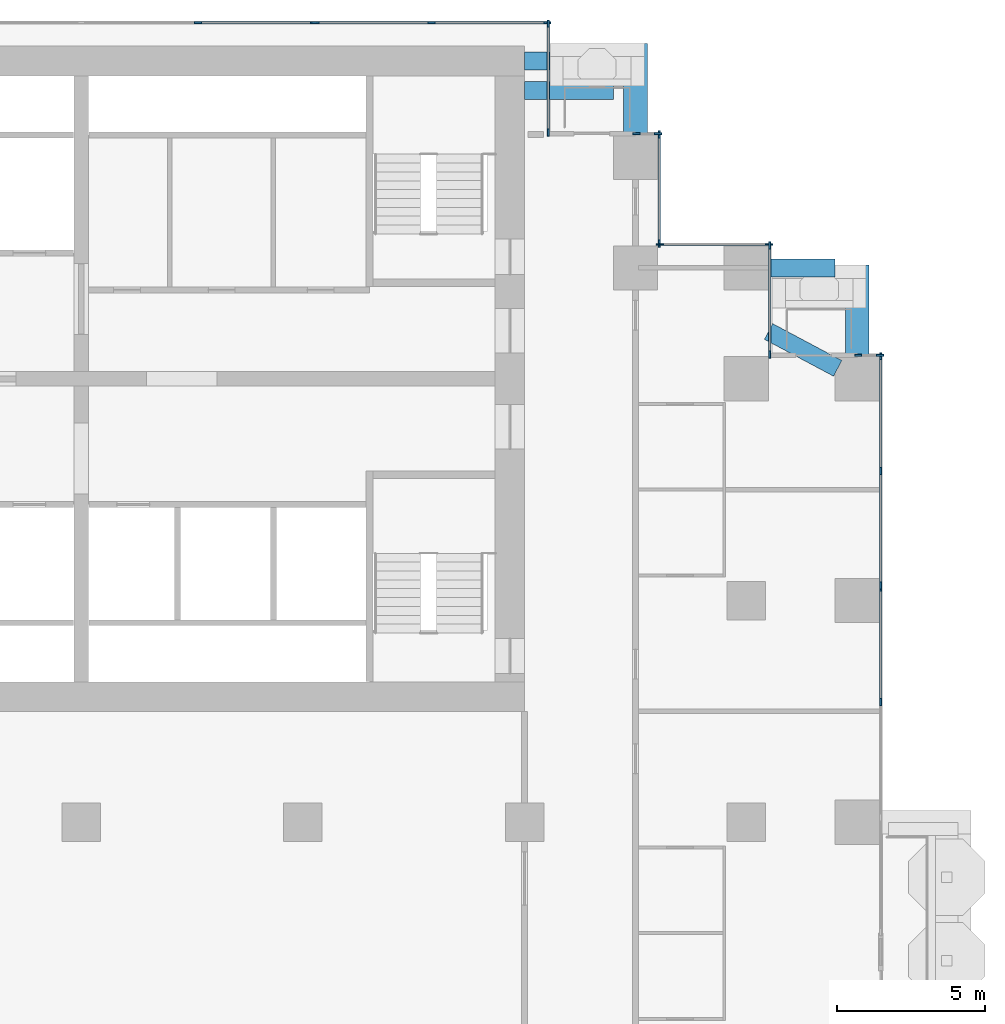
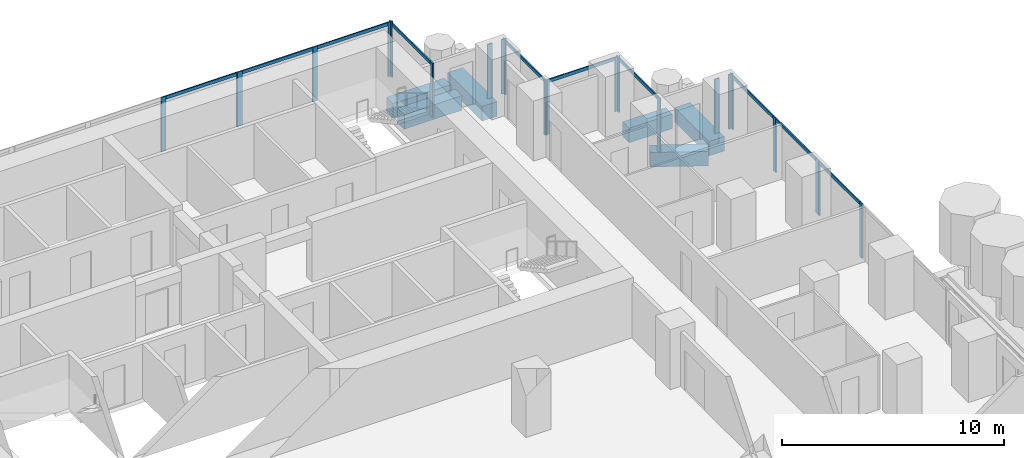
# One storey, part 6 of 19: 32 members, 6 beams, 10 elements without a shape of their own.
"""IFC4 building model written with IfcOpenShell, lengths in metres."""

from ifc_helpers import new_model, si_unit, direction, frame, origin, origin_2d, place, context, subcontext, project, spatial, rectangle, extrude, material, material_profile, profile_set, type_object, element, aggregate, save


model = new_model("IFC4")

# Units and contexts
model_context = context("Model", 3, precision=1e-05, world=origin(), true_north=direction((0.0, 1.0)))
body_context = subcontext(model_context, "Body", "Model", "MODEL_VIEW")
ifc_project = project(units=[si_unit("LENGTHUNIT", "METRE"), si_unit("AREAUNIT", "SQUARE_METRE"), si_unit("VOLUMEUNIT", "CUBIC_METRE"), si_unit("PLANEANGLEUNIT", "RADIAN"), si_unit("MASSUNIT", "GRAM", prefix="KILO")], contexts=[model_context])

# Site, building, storey
site_placement = place(None, origin())
site = spatial("IfcSite", under=ifc_project, at=site_placement, CompositionType="ELEMENT")
building_placement = place(site_placement, origin())
building = spatial("IfcBuilding", under=site, at=building_placement, Name="Pilkhan Gate Tower", CompositionType="ELEMENT")
storey_placement = place(building_placement, frame((0.0, 0.0, 89.0)))
storey = spatial("IfcBuildingStorey", under=building, at=storey_placement, Name="L21", CompositionType="ELEMENT", Elevation=89.0)

# Beams
ifc_material_1 = material(Name="Concrete C50/60", Category="concrete")
ifc_material_profile_1 = material_profile(ifc_material_1, rectangle(XDim=0.60009765625, YDim=0.800048828125, at=origin_2d()), Name="RC 600x800")
ifc_profile_set_1 = profile_set([ifc_material_profile_1], Name="Concrete C50/60")
beam_type_1 = type_object("IfcBeamType", Name="Cantilever beam CB1 RC 600x800 C50/60", PredefinedType="BEAM", material=ifc_profile_set_1)
for number, where, z_axis, x_axis, name in (
    (1, (90.0, 93.25, -0.699951171875), (1.0, 0.0, 0.0), (0.0, 1.0, 0.0), "Balcony beam NE.2 L21"),
    (2, (90.0, 92.25, -0.699951171875), (1.0, 0.0, 0.0), (0.0, 1.0, 0.0), "Balcony beam NE.3 L21"),
):
    element("IfcBeam", number, at=place(storey_placement, frame(where, z_axis=z_axis, x_axis=x_axis)), inside=storey, type_object=beam_type_1, Name=name, PredefinedType="BEAM", context=body_context, shape_type="SweptSolid", body=[
        extrude(rectangle(XDim=0.60009765625, YDim=0.800048828125, at=origin_2d()), origin(), (0.0, 0.0, 1.0), 3.0),
    ])
beam_1_placement = place(storey_placement, frame((98.25, 86.25, -0.699951171875), z_axis=(1.0, 0.0, 0.0), x_axis=(0.0, 1.0, 0.0)))
element("IfcBeam", 3, at=beam_1_placement, inside=storey, type_object=beam_type_1, Name="Balcony beam NE2.2 L21", PredefinedType="BEAM", context=body_context, shape_type="SweptSolid", body=[
    extrude(rectangle(XDim=0.60009765625, YDim=0.800048828125, at=origin_2d()), origin(), (0.0, 0.0, 1.0), 2.25),
])
beam_2_placement = place(storey_placement, frame((100.588134765625, 82.85302734375, -0.699951171875), z_axis=(-0.882342739565, 0.470607362817, 0.0), x_axis=(-0.470607362817, -0.882342739565, 0.0)))
element("IfcBeam", 4, at=beam_2_placement, inside=storey, type_object=beam_type_1, Name="Balcony beam NE2.3 L21", PredefinedType="BEAM", context=body_context, shape_type="SweptSolid", body=[
    extrude(rectangle(XDim=0.60009765625, YDim=0.800048828125, at=origin_2d()), origin(), (0.0, 0.0, 1.0), 2.64990234375),
])
ifc_material_profile_2 = material_profile(ifc_material_1, rectangle(XDim=0.800048828125, YDim=0.800048828125, at=origin_2d()), Name="RC 800x800")
ifc_profile_set_2 = profile_set([ifc_material_profile_2], Name="Concrete C50/60")
beam_type_2 = type_object("IfcBeamType", Name="Cantilever beam CB2 RC 800x800 C50/60", PredefinedType="BEAM", material=ifc_profile_set_2)
for number, where, z_axis, x_axis, name in (
    (5, (93.75, 90.75, -0.699951171875), (0.0, 1.0, 0.0), (-1.0, 0.0, 0.0), "Balcony beam NE.1 L21"),
    (6, (101.25, 83.25, -0.699951171875), (0.0, 1.0, 0.0), (-1.0, 0.0, 0.0), "Balcony beam NE2.1 L21"),
):
    element("IfcBeam", number, at=place(storey_placement, frame(where, z_axis=z_axis, x_axis=x_axis)), inside=storey, type_object=beam_type_2, Name=name, PredefinedType="BEAM", context=body_context, shape_type="SweptSolid", body=[
        extrude(rectangle(XDim=0.800048828125, YDim=0.800048828125, at=origin_2d()), origin(), (0.0, 0.0, 1.0), 3.10009765625),
    ])

# Curtain wall, members
ifc_material_2 = material(Name="Pale anodised aluminium, clear low-iron double glazing", Category="aluminium")
curtain_wall_type = type_object("IfcCurtainWallType", Name="Hotel unitised curtain wall CW-H", PredefinedType="USERDEFINED", material=ifc_material_2)
curtain_wall_1_placement = place(storey_placement, origin())
curtain_wall_1 = element("IfcCurtainWall", 7, at=curtain_wall_1_placement, inside=storey, type_object=curtain_wall_type, Name="Hotel unitised curtain wall CW-H L21 E", ObjectType="UNITISED CURTAIN WALL", PredefinedType="USERDEFINED")
ifc_material_3 = material(Name="Pale anodised aluminium", Category="aluminium")
ifc_material_profile_3 = material_profile(ifc_material_3, rectangle(XDim=0.06494140625, YDim=0.25, at=origin_2d()), Name="Mullion 250x65")
ifc_profile_set_3 = profile_set([ifc_material_profile_3], Name="Pale anodised aluminium")
member_type_1 = type_object("IfcMemberType", Name="Mullion CW-H 250x65", PredefinedType="MULLION", material=ifc_profile_set_3)
member_1_placement = place(storey_placement, frame((102.044921875, 71.568115234375, 0.0), z_axis=(0.0, 0.0, 1.0), x_axis=(-1.0, 0.0, 0.0)))
member_1 = element("IfcMember", 8, at=member_1_placement, type_object=member_type_1, Name="CW-H mullion 3", PredefinedType="MULLION", context=body_context, shape_type="SweptSolid", body=[
    extrude(rectangle(XDim=0.06494140625, YDim=0.25, at=origin_2d()), origin(), (0.0, 0.0, 1.0), 3.0),
])
member_2_placement = place(storey_placement, frame((102.044921875, 75.444580078125, 0.0), z_axis=(0.0, 0.0, 1.0), x_axis=(-1.0, 0.0, 0.0)))
member_2 = element("IfcMember", 9, at=member_2_placement, type_object=member_type_1, Name="CW-H mullion 4", PredefinedType="MULLION", context=body_context, shape_type="SweptSolid", body=[
    extrude(rectangle(XDim=0.06494140625, YDim=0.25, at=origin_2d()), origin(), (0.0, 0.0, 1.0), 3.0),
])

curtain_wall_2_placement = place(storey_placement, origin())
curtain_wall_2 = element("IfcCurtainWall", 10, at=curtain_wall_2_placement, inside=storey, type_object=curtain_wall_type, Name="Hotel unitised curtain wall CW-H L21 E", ObjectType="UNITISED CURTAIN WALL", PredefinedType="USERDEFINED")
member_3_placement = place(storey_placement, frame((102.044921875, 75.509521484375, 0.0), z_axis=(0.0, 0.0, 1.0), x_axis=(-1.0, 0.0, 0.0)))
member_3 = element("IfcMember", 11, at=member_3_placement, type_object=member_type_1, Name="CW-H mullion 1", PredefinedType="MULLION", context=body_context, shape_type="SweptSolid", body=[
    extrude(rectangle(XDim=0.06494140625, YDim=0.25, at=origin_2d()), origin(), (0.0, 0.0, 1.0), 3.0),
])
member_4_placement = place(storey_placement, frame((102.044921875, 79.385986328125, 0.0), z_axis=(0.0, 0.0, 1.0), x_axis=(-1.0, 0.0, 0.0)))
member_4 = element("IfcMember", 12, at=member_4_placement, type_object=member_type_1, Name="CW-H mullion 2", PredefinedType="MULLION", context=body_context, shape_type="SweptSolid", body=[
    extrude(rectangle(XDim=0.06494140625, YDim=0.25, at=origin_2d()), origin(), (0.0, 0.0, 1.0), 3.0),
])
member_5_placement = place(storey_placement, frame((102.044921875, 83.262451171875, 0.0), z_axis=(0.0, 0.0, 1.0), x_axis=(-1.0, 0.0, 0.0)))
member_5 = element("IfcMember", 13, at=member_5_placement, type_object=member_type_1, Name="CW-H mullion 3", PredefinedType="MULLION", context=body_context, shape_type="SweptSolid", body=[
    extrude(rectangle(XDim=0.06494140625, YDim=0.25, at=origin_2d()), origin(), (0.0, 0.0, 1.0), 3.0),
])

curtain_wall_3_placement = place(storey_placement, origin())
curtain_wall_3 = element("IfcCurtainWall", 14, at=curtain_wall_3_placement, inside=storey, type_object=curtain_wall_type, Name="Hotel unitised curtain wall CW-H L21 N", ObjectType="UNITISED CURTAIN WALL", PredefinedType="USERDEFINED")
member_6_placement = place(storey_placement, frame((101.282470703125, 83.294921875, 0.0), z_axis=(0.0, 0.0, 1.0), x_axis=(0.0, 1.0, 0.0)))
member_6 = element("IfcMember", 15, at=member_6_placement, type_object=member_type_1, Name="CW-H mullion 1", PredefinedType="MULLION", context=body_context, shape_type="SweptSolid", body=[
    extrude(rectangle(XDim=0.06494140625, YDim=0.25, at=origin_2d()), origin(), (0.0, 0.0, 1.0), 3.0),
])
member_7_placement = place(storey_placement, frame((102.012451171875, 83.294921875, 0.0), z_axis=(0.0, 0.0, 1.0), x_axis=(0.0, 1.0, 0.0)))
member_7 = element("IfcMember", 16, at=member_7_placement, type_object=member_type_1, Name="CW-H mullion 2", PredefinedType="MULLION", context=body_context, shape_type="SweptSolid", body=[
    extrude(rectangle(XDim=0.06494140625, YDim=0.25, at=origin_2d()), origin(), (0.0, 0.0, 1.0), 3.0),
])
aggregate(curtain_wall_3, [member_6, member_7])

curtain_wall_4_placement = place(storey_placement, origin())
curtain_wall_4 = element("IfcCurtainWall", 17, at=curtain_wall_4_placement, inside=storey, type_object=curtain_wall_type, Name="Hotel unitised curtain wall CW-H L21 E", ObjectType="UNITISED CURTAIN WALL", PredefinedType="USERDEFINED")
member_8_placement = place(storey_placement, frame((98.294921875, 83.327392578125, 0.0), z_axis=(0.0, 0.0, 1.0), x_axis=(-1.0, 0.0, 0.0)))
member_8 = element("IfcMember", 18, at=member_8_placement, type_object=member_type_1, Name="CW-H mullion 1", PredefinedType="MULLION", context=body_context, shape_type="SweptSolid", body=[
    extrude(rectangle(XDim=0.06494140625, YDim=0.25, at=origin_2d()), origin(), (0.0, 0.0, 1.0), 3.0),
])
member_9_placement = place(storey_placement, frame((98.294921875, 87.012451171875, 0.0), z_axis=(0.0, 0.0, 1.0), x_axis=(-1.0, 0.0, 0.0)))
member_9 = element("IfcMember", 19, at=member_9_placement, type_object=member_type_1, Name="CW-H mullion 2", PredefinedType="MULLION", context=body_context, shape_type="SweptSolid", body=[
    extrude(rectangle(XDim=0.06494140625, YDim=0.25, at=origin_2d()), origin(), (0.0, 0.0, 1.0), 3.0),
])

curtain_wall_5_placement = place(storey_placement, origin())
curtain_wall_5 = element("IfcCurtainWall", 20, at=curtain_wall_5_placement, inside=storey, type_object=curtain_wall_type, Name="Hotel unitised curtain wall CW-H L21 N", ObjectType="UNITISED CURTAIN WALL", PredefinedType="USERDEFINED")
member_10_placement = place(storey_placement, frame((94.577392578125, 87.044921875, 0.0), z_axis=(0.0, 0.0, 1.0), x_axis=(0.0, 1.0, 0.0)))
member_10 = element("IfcMember", 21, at=member_10_placement, type_object=member_type_1, Name="CW-H mullion 1", PredefinedType="MULLION", context=body_context, shape_type="SweptSolid", body=[
    extrude(rectangle(XDim=0.06494140625, YDim=0.25, at=origin_2d()), origin(), (0.0, 0.0, 1.0), 3.0),
])
member_11_placement = place(storey_placement, frame((98.262451171875, 87.044921875, 0.0), z_axis=(0.0, 0.0, 1.0), x_axis=(0.0, 1.0, 0.0)))
member_11 = element("IfcMember", 22, at=member_11_placement, type_object=member_type_1, Name="CW-H mullion 2", PredefinedType="MULLION", context=body_context, shape_type="SweptSolid", body=[
    extrude(rectangle(XDim=0.06494140625, YDim=0.25, at=origin_2d()), origin(), (0.0, 0.0, 1.0), 3.0),
])

curtain_wall_6_placement = place(storey_placement, origin())
curtain_wall_6 = element("IfcCurtainWall", 23, at=curtain_wall_6_placement, inside=storey, type_object=curtain_wall_type, Name="Hotel unitised curtain wall CW-H L21 E", ObjectType="UNITISED CURTAIN WALL", PredefinedType="USERDEFINED")
member_12_placement = place(storey_placement, frame((94.544921875, 87.077392578125, 0.0), z_axis=(0.0, 0.0, 1.0), x_axis=(-1.0, 0.0, 0.0)))
member_12 = element("IfcMember", 24, at=member_12_placement, type_object=member_type_1, Name="CW-H mullion 1", PredefinedType="MULLION", context=body_context, shape_type="SweptSolid", body=[
    extrude(rectangle(XDim=0.06494140625, YDim=0.25, at=origin_2d()), origin(), (0.0, 0.0, 1.0), 3.0),
])
member_13_placement = place(storey_placement, frame((94.544921875, 90.762451171875, 0.0), z_axis=(0.0, 0.0, 1.0), x_axis=(-1.0, 0.0, 0.0)))
member_13 = element("IfcMember", 25, at=member_13_placement, type_object=member_type_1, Name="CW-H mullion 2", PredefinedType="MULLION", context=body_context, shape_type="SweptSolid", body=[
    extrude(rectangle(XDim=0.06494140625, YDim=0.25, at=origin_2d()), origin(), (0.0, 0.0, 1.0), 3.0),
])

curtain_wall_7_placement = place(storey_placement, origin())
curtain_wall_7 = element("IfcCurtainWall", 26, at=curtain_wall_7_placement, inside=storey, type_object=curtain_wall_type, Name="Hotel unitised curtain wall CW-H L21 N", ObjectType="UNITISED CURTAIN WALL", PredefinedType="USERDEFINED")
member_14_placement = place(storey_placement, frame((93.782470703125, 90.794921875, 0.0), z_axis=(0.0, 0.0, 1.0), x_axis=(0.0, 1.0, 0.0)))
member_14 = element("IfcMember", 27, at=member_14_placement, type_object=member_type_1, Name="CW-H mullion 1", PredefinedType="MULLION", context=body_context, shape_type="SweptSolid", body=[
    extrude(rectangle(XDim=0.06494140625, YDim=0.25, at=origin_2d()), origin(), (0.0, 0.0, 1.0), 3.0),
])
member_15_placement = place(storey_placement, frame((94.512451171875, 90.794921875, 0.0), z_axis=(0.0, 0.0, 1.0), x_axis=(0.0, 1.0, 0.0)))
member_15 = element("IfcMember", 28, at=member_15_placement, type_object=member_type_1, Name="CW-H mullion 2", PredefinedType="MULLION", context=body_context, shape_type="SweptSolid", body=[
    extrude(rectangle(XDim=0.06494140625, YDim=0.25, at=origin_2d()), origin(), (0.0, 0.0, 1.0), 3.0),
])
aggregate(curtain_wall_7, [member_14, member_15])

curtain_wall_8_placement = place(storey_placement, origin())
curtain_wall_8 = element("IfcCurtainWall", 29, at=curtain_wall_8_placement, inside=storey, type_object=curtain_wall_type, Name="Hotel unitised curtain wall CW-H L21 E", ObjectType="UNITISED CURTAIN WALL", PredefinedType="USERDEFINED")
member_16_placement = place(storey_placement, frame((90.794921875, 90.827392578125, 0.0), z_axis=(0.0, 0.0, 1.0), x_axis=(-1.0, 0.0, 0.0)))
member_16 = element("IfcMember", 30, at=member_16_placement, type_object=member_type_1, Name="CW-H mullion 1", PredefinedType="MULLION", context=body_context, shape_type="SweptSolid", body=[
    extrude(rectangle(XDim=0.06494140625, YDim=0.25, at=origin_2d()), origin(), (0.0, 0.0, 1.0), 3.0),
])
member_17_placement = place(storey_placement, frame((90.794921875, 94.512451171875, 0.0), z_axis=(0.0, 0.0, 1.0), x_axis=(-1.0, 0.0, 0.0)))
member_17 = element("IfcMember", 31, at=member_17_placement, type_object=member_type_1, Name="CW-H mullion 2", PredefinedType="MULLION", context=body_context, shape_type="SweptSolid", body=[
    extrude(rectangle(XDim=0.06494140625, YDim=0.25, at=origin_2d()), origin(), (0.0, 0.0, 1.0), 3.0),
])

curtain_wall_9_placement = place(storey_placement, origin())
curtain_wall_9 = element("IfcCurtainWall", 32, at=curtain_wall_9_placement, inside=storey, type_object=curtain_wall_type, Name="Hotel unitised curtain wall CW-H L21 N", ObjectType="UNITISED CURTAIN WALL", PredefinedType="USERDEFINED")
member_18_placement = place(storey_placement, frame((78.94873046875, 94.544921875, 0.0), z_axis=(0.0, 0.0, 1.0), x_axis=(0.0, 1.0, 0.0)))
member_18 = element("IfcMember", 33, at=member_18_placement, type_object=member_type_1, Name="CW-H mullion 3", PredefinedType="MULLION", context=body_context, shape_type="SweptSolid", body=[
    extrude(rectangle(XDim=0.06494140625, YDim=0.25, at=origin_2d()), origin(), (0.0, 0.0, 1.0), 3.0),
])
member_19_placement = place(storey_placement, frame((82.864990234375, 94.544921875, 0.0), z_axis=(0.0, 0.0, 1.0), x_axis=(0.0, 1.0, 0.0)))
member_19 = element("IfcMember", 34, at=member_19_placement, type_object=member_type_1, Name="CW-H mullion 4", PredefinedType="MULLION", context=body_context, shape_type="SweptSolid", body=[
    extrude(rectangle(XDim=0.06494140625, YDim=0.25, at=origin_2d()), origin(), (0.0, 0.0, 1.0), 3.0),
])

curtain_wall_10_placement = place(storey_placement, origin())
curtain_wall_10 = element("IfcCurtainWall", 35, at=curtain_wall_10_placement, inside=storey, type_object=curtain_wall_type, Name="Hotel unitised curtain wall CW-H L21 N", ObjectType="UNITISED CURTAIN WALL", PredefinedType="USERDEFINED")
member_20_placement = place(storey_placement, frame((82.929931640625, 94.544921875, 0.0), z_axis=(0.0, 0.0, 1.0), x_axis=(0.0, 1.0, 0.0)))
member_20 = element("IfcMember", 36, at=member_20_placement, type_object=member_type_1, Name="CW-H mullion 1", PredefinedType="MULLION", context=body_context, shape_type="SweptSolid", body=[
    extrude(rectangle(XDim=0.06494140625, YDim=0.25, at=origin_2d()), origin(), (0.0, 0.0, 1.0), 3.0),
])
member_21_placement = place(storey_placement, frame((86.84619140625, 94.544921875, 0.0), z_axis=(0.0, 0.0, 1.0), x_axis=(0.0, 1.0, 0.0)))
member_21 = element("IfcMember", 37, at=member_21_placement, type_object=member_type_1, Name="CW-H mullion 2", PredefinedType="MULLION", context=body_context, shape_type="SweptSolid", body=[
    extrude(rectangle(XDim=0.06494140625, YDim=0.25, at=origin_2d()), origin(), (0.0, 0.0, 1.0), 3.0),
])
member_22_placement = place(storey_placement, frame((90.762451171875, 94.544921875, 0.0), z_axis=(0.0, 0.0, 1.0), x_axis=(0.0, 1.0, 0.0)))
member_22 = element("IfcMember", 38, at=member_22_placement, type_object=member_type_1, Name="CW-H mullion 3", PredefinedType="MULLION", context=body_context, shape_type="SweptSolid", body=[
    extrude(rectangle(XDim=0.06494140625, YDim=0.25, at=origin_2d()), origin(), (0.0, 0.0, 1.0), 3.0),
])

# Member
ifc_material_profile_4 = material_profile(ifc_material_3, rectangle(XDim=0.06494140625, YDim=0.179931640625, at=origin_2d()), Name="Transom 180x65")
ifc_profile_set_4 = profile_set([ifc_material_profile_4], Name="Pale anodised aluminium")
member_type_2 = type_object("IfcMemberType", Name="Transom CW-H 180x65", PredefinedType="USERDEFINED", material=ifc_profile_set_4)
member_23_placement = place(storey_placement, frame((102.044921875, 71.6005859375, 2.909912109375), z_axis=(0.0, 1.0, 0.0), x_axis=(-1.0, 0.0, 0.0)))
member_23 = element("IfcMember", 39, at=member_23_placement, type_object=member_type_2, Name="CW-H transom 3", ObjectType="TRANSOM", PredefinedType="USERDEFINED", context=body_context, shape_type="SweptSolid", body=[
    extrude(rectangle(XDim=0.06494140625, YDim=0.179931640625, at=origin_2d()), origin(), (0.0, 0.0, 1.0), 3.8115234375),
])

aggregate(curtain_wall_1, [member_1, member_2, member_23])

member_24_placement = place(storey_placement, frame((102.044921875, 75.5419921875, 2.909912109375), z_axis=(0.0, 1.0, 0.0), x_axis=(-1.0, 0.0, 0.0)))
member_24 = element("IfcMember", 40, at=member_24_placement, type_object=member_type_2, Name="CW-H transom 1", ObjectType="TRANSOM", PredefinedType="USERDEFINED", context=body_context, shape_type="SweptSolid", body=[
    extrude(rectangle(XDim=0.06494140625, YDim=0.179931640625, at=origin_2d()), origin(), (0.0, 0.0, 1.0), 3.8115234375),
])

member_25_placement = place(storey_placement, frame((102.044921875, 79.41845703125, 2.909912109375), z_axis=(0.0, 1.0, 0.0), x_axis=(-1.0, 0.0, 0.0)))
member_25 = element("IfcMember", 41, at=member_25_placement, type_object=member_type_2, Name="CW-H transom 2", ObjectType="TRANSOM", PredefinedType="USERDEFINED", context=body_context, shape_type="SweptSolid", body=[
    extrude(rectangle(XDim=0.06494140625, YDim=0.179931640625, at=origin_2d()), origin(), (0.0, 0.0, 1.0), 3.8115234375),
])

aggregate(curtain_wall_2, [member_3, member_4, member_5, member_24, member_25])

member_26_placement = place(storey_placement, frame((98.294921875, 83.360107421875, 2.909912109375), z_axis=(0.0, 1.0, 0.0), x_axis=(-1.0, 0.0, 0.0)))
member_26 = element("IfcMember", 42, at=member_26_placement, type_object=member_type_2, Name="CW-H transom 1", ObjectType="TRANSOM", PredefinedType="USERDEFINED", context=body_context, shape_type="SweptSolid", body=[
    extrude(rectangle(XDim=0.06494140625, YDim=0.179931640625, at=origin_2d()), origin(), (0.0, 0.0, 1.0), 3.619873046875),
])

aggregate(curtain_wall_4, [member_8, member_9, member_26])

member_27_placement = place(storey_placement, frame((94.610107421875, 87.044921875, 2.909912109375), z_axis=(1.0, 0.0, 0.0), x_axis=(0.0, 1.0, 0.0)))
member_27 = element("IfcMember", 43, at=member_27_placement, type_object=member_type_2, Name="CW-H transom 1", ObjectType="TRANSOM", PredefinedType="USERDEFINED", context=body_context, shape_type="SweptSolid", body=[
    extrude(rectangle(XDim=0.06494140625, YDim=0.179931640625, at=origin_2d()), origin(), (0.0, 0.0, 1.0), 3.619873046875),
])

aggregate(curtain_wall_5, [member_10, member_11, member_27])

member_28_placement = place(storey_placement, frame((94.544921875, 87.110107421875, 2.909912109375), z_axis=(0.0, 1.0, 0.0), x_axis=(-1.0, 0.0, 0.0)))
member_28 = element("IfcMember", 44, at=member_28_placement, type_object=member_type_2, Name="CW-H transom 1", ObjectType="TRANSOM", PredefinedType="USERDEFINED", context=body_context, shape_type="SweptSolid", body=[
    extrude(rectangle(XDim=0.06494140625, YDim=0.179931640625, at=origin_2d()), origin(), (0.0, 0.0, 1.0), 3.619873046875),
])

aggregate(curtain_wall_6, [member_12, member_13, member_28])

member_29_placement = place(storey_placement, frame((90.794921875, 90.860107421875, 2.909912109375), z_axis=(0.0, 1.0, 0.0), x_axis=(-1.0, 0.0, 0.0)))
member_29 = element("IfcMember", 45, at=member_29_placement, type_object=member_type_2, Name="CW-H transom 1", ObjectType="TRANSOM", PredefinedType="USERDEFINED", context=body_context, shape_type="SweptSolid", body=[
    extrude(rectangle(XDim=0.06494140625, YDim=0.179931640625, at=origin_2d()), origin(), (0.0, 0.0, 1.0), 3.619873046875),
])

aggregate(curtain_wall_8, [member_16, member_17, member_29])

member_30_placement = place(storey_placement, frame((78.981201171875, 94.544921875, 2.909912109375), z_axis=(1.0, 0.0, 0.0), x_axis=(0.0, 1.0, 0.0)))
member_30 = element("IfcMember", 46, at=member_30_placement, type_object=member_type_2, Name="CW-H transom 3", ObjectType="TRANSOM", PredefinedType="USERDEFINED", context=body_context, shape_type="SweptSolid", body=[
    extrude(rectangle(XDim=0.06494140625, YDim=0.179931640625, at=origin_2d()), origin(), (0.0, 0.0, 1.0), 3.851318359375),
])

aggregate(curtain_wall_9, [member_18, member_19, member_30])

member_31_placement = place(storey_placement, frame((82.96240234375, 94.544921875, 2.909912109375), z_axis=(1.0, 0.0, 0.0), x_axis=(0.0, 1.0, 0.0)))
member_31 = element("IfcMember", 47, at=member_31_placement, type_object=member_type_2, Name="CW-H transom 1", ObjectType="TRANSOM", PredefinedType="USERDEFINED", context=body_context, shape_type="SweptSolid", body=[
    extrude(rectangle(XDim=0.06494140625, YDim=0.179931640625, at=origin_2d()), origin(), (0.0, 0.0, 1.0), 3.851318359375),
])

member_32_placement = place(storey_placement, frame((86.878662109375, 94.544921875, 2.909912109375), z_axis=(1.0, 0.0, 0.0), x_axis=(0.0, 1.0, 0.0)))
member_32 = element("IfcMember", 48, at=member_32_placement, type_object=member_type_2, Name="CW-H transom 2", ObjectType="TRANSOM", PredefinedType="USERDEFINED", context=body_context, shape_type="SweptSolid", body=[
    extrude(rectangle(XDim=0.06494140625, YDim=0.179931640625, at=origin_2d()), origin(), (0.0, 0.0, 1.0), 3.851318359375),
])

aggregate(curtain_wall_10, [member_20, member_21, member_22, member_31, member_32])

save(model, "model.ifc")
